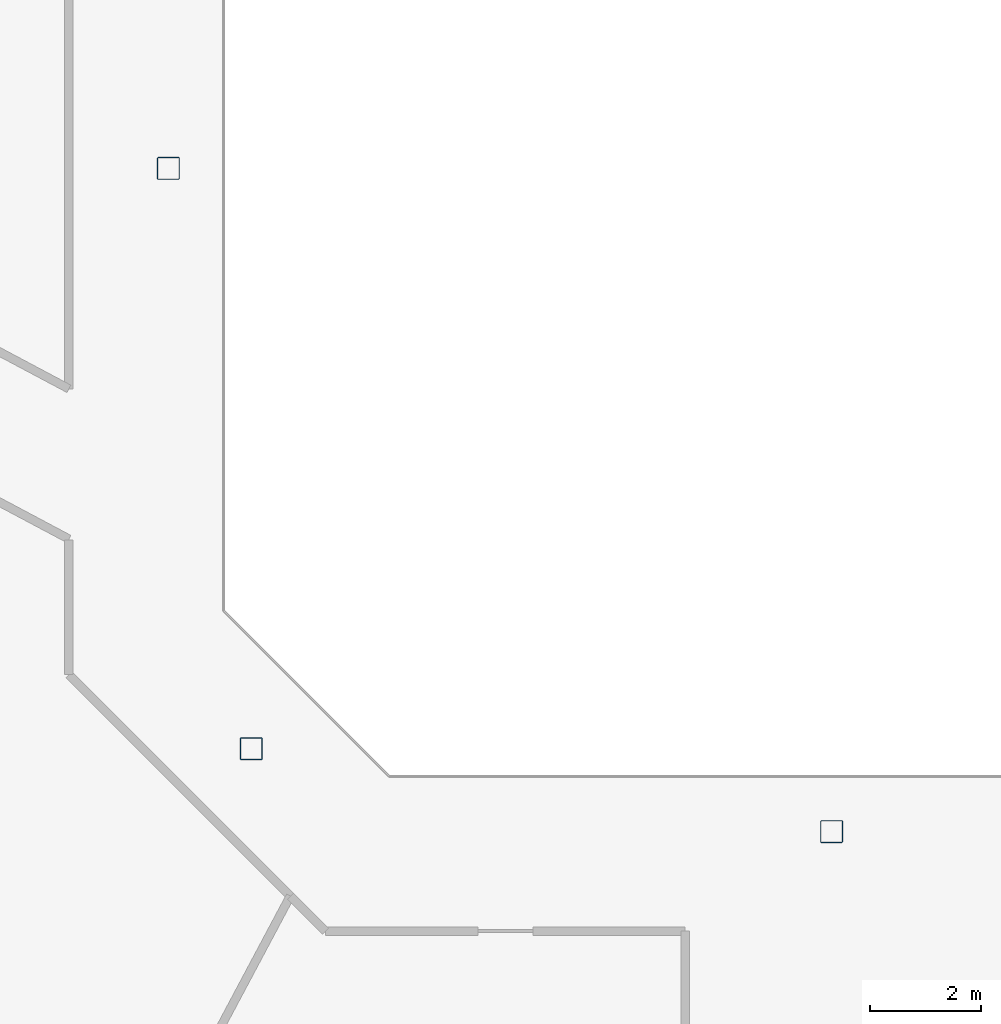
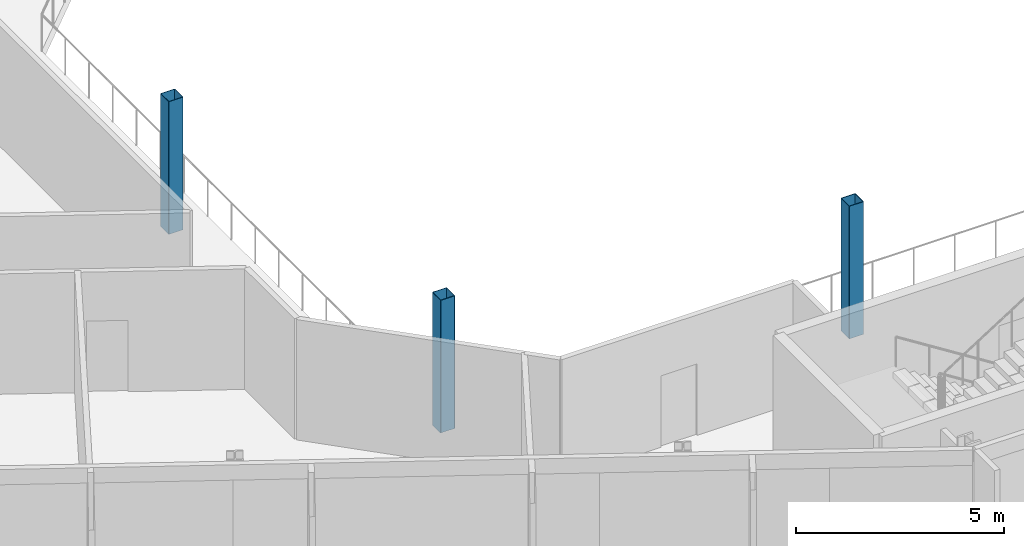
# One storey, part 2 of 26: 3 columns.
"""IFC4 building model written with IfcOpenShell, lengths in metres."""

from ifc_helpers import new_model, si_unit, direction, frame, origin, origin_2d, place, context, subcontext, project, spatial, hollow_rectangle, extrude, material, material_profile, profile_set, type_object, element, save


model = new_model("IFC4")

# Units and contexts
model_context = context("Model", 3, precision=1e-05, world=origin(), true_north=direction((0.0, 1.0)))
body_context = subcontext(model_context, "Body", "Model", "MODEL_VIEW")
ifc_project = project(units=[si_unit("LENGTHUNIT", "METRE"), si_unit("AREAUNIT", "SQUARE_METRE"), si_unit("VOLUMEUNIT", "CUBIC_METRE"), si_unit("PLANEANGLEUNIT", "RADIAN"), si_unit("MASSUNIT", "GRAM", prefix="KILO")], contexts=[model_context])

# Site, building, storey
site_placement = place(None, origin())
site = spatial("IfcSite", under=ifc_project, at=site_placement, CompositionType="ELEMENT")
building_placement = place(site_placement, origin())
building = spatial("IfcBuilding", under=site, at=building_placement, Name="Cormorant Relay Tower", CompositionType="ELEMENT")
storey_placement = place(building_placement, frame((0.0, 0.0, 205.199951171875)))
storey = spatial("IfcBuildingStorey", under=building, at=storey_placement, Name="L44", CompositionType="ELEMENT", Elevation=205.199951171875)

# Columns
ifc_material = material(Name="Steel ASTM A500 Grade C (Fy 345 MPa)", Category="steel")
ifc_material_profile = material_profile(ifc_material, hollow_rectangle(XDim=0.406494140625, YDim=0.406494140625, WallThickness=0.0146484375, InnerFilletRadius=0.00732421875, OuterFilletRadius=0.022216796875, at=origin_2d()), Name="HSS406x406x15")
ifc_profile_set = profile_set([ifc_material_profile], Name="Steel ASTM A500 Grade C (Fy 345 MPa)")
column_type = type_object("IfcColumnType", Name="Column HSS406x406x15", PredefinedType="COLUMN", material=ifc_profile_set)
for number, where, z_axis, x_axis, name in (
    (1, (0.0, -12.0, 0.0), (0.0, 0.0, 1.0), (1.0, 0.0, 0.0), "Column L44-007"),
    (2, (-10.5, -10.5, 0.0), (0.0, 0.0, 1.0), (1.0, 0.0, 0.0), "Column L44-009"),
    (3, (-12.0, 0.0, 0.0), (0.0, 0.0, 1.0), (1.0, 0.0, 0.0), "Column L44-015"),
):
    element("IfcColumn", number, at=place(storey_placement, frame(where, z_axis=z_axis, x_axis=x_axis)), inside=storey, type_object=column_type, Name=name, PredefinedType="COLUMN", context=body_context, shape_type="SweptSolid", body=[
        extrude(hollow_rectangle(XDim=0.406494140625, YDim=0.406494140625, WallThickness=0.0146484375, InnerFilletRadius=0.00732421875, OuterFilletRadius=0.022216796875, at=origin_2d()), origin(), (0.0, 0.0, 1.0), 3.900146484375),
    ])

save(model, "model.ifc")
